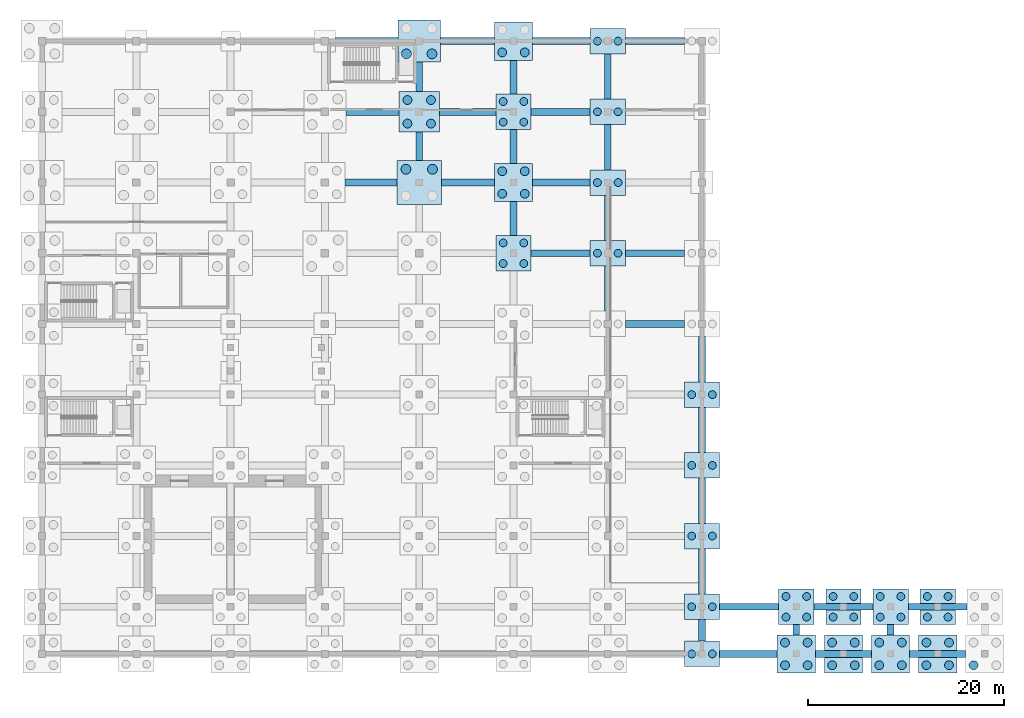
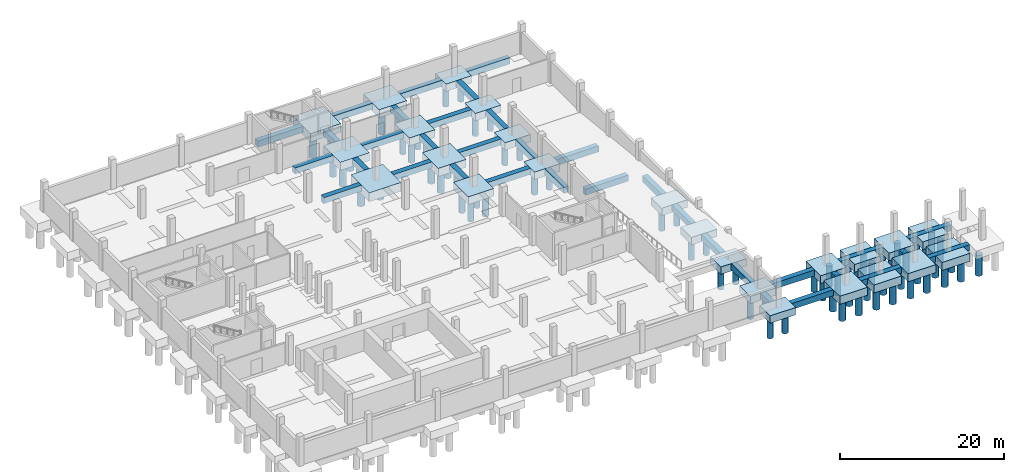
# One storey, part 4 of 13: 73 piles, 59 footings.
"""IFC4 building model written with IfcOpenShell, lengths in metres."""

from ifc_helpers import new_model, si_unit, direction, frame, origin, origin_2d, place, context, subcontext, project, spatial, rectangle, circle, extrude, material, material_profile, profile_set, type_object, element, save


model = new_model("IFC4")

# Units and contexts
model_context = context("Model", 3, precision=1e-05, world=origin(), true_north=direction((0.0, 1.0)))
body_context = subcontext(model_context, "Body", "Model", "MODEL_VIEW")
ifc_project = project(units=[si_unit("LENGTHUNIT", "METRE"), si_unit("AREAUNIT", "SQUARE_METRE"), si_unit("VOLUMEUNIT", "CUBIC_METRE"), si_unit("PLANEANGLEUNIT", "RADIAN"), si_unit("MASSUNIT", "GRAM", prefix="KILO")], contexts=[model_context])

# Site, building, storey
site_placement = place(None, origin())
site = spatial("IfcSite", under=ifc_project, at=site_placement, CompositionType="ELEMENT")
building_placement = place(site_placement, origin())
building = spatial("IfcBuilding", under=site, at=building_placement, Name="Asteropetra Specialist Clinic", CompositionType="ELEMENT")
storey_placement = place(building_placement, frame((0.0, 0.0, -4.419921875)))
storey = spatial("IfcBuildingStorey", under=building, at=storey_placement, Name="B1", CompositionType="ELEMENT", Elevation=-4.419921875)

# Footings
ifc_material_1 = material(Name="Concrete C35/45", Category="concrete")
ifc_material_profile_1 = material_profile(ifc_material_1, rectangle(XDim=0.699951171875, YDim=0.89990234375, at=origin_2d()), Name="FB 700x900")
ifc_profile_set_1 = profile_set([ifc_material_profile_1], Name="Concrete C35/45")
footing_type_1 = type_object("IfcFootingType", Name="FB-700x900", PredefinedType="FOOTING_BEAM", material=ifc_profile_set_1)
footing_1_placement = place(storey_placement, frame((30.85009765625, 48.0, -0.4501953125), z_axis=(1.0, 0.0, 0.0), x_axis=(0.0, 1.0, 0.0)))
element("IfcFooting", 1, at=footing_1_placement, inside=storey, type_object=footing_type_1, Name="Footing Tie Beam FB-0104", PredefinedType="FOOTING_BEAM", context=body_context, shape_type="SweptSolid", body=[
    extrude(rectangle(XDim=0.699951171875, YDim=0.89990234375, at=origin_2d()), origin(), (0.0, 0.0, 1.0), 5.2998046875),
])
footing_2_placement = place(storey_placement, frame((30.949951171875, 55.199951171875, -0.4501953125), z_axis=(1.0, 0.0, 0.0), x_axis=(0.0, 1.0, 0.0)))
element("IfcFooting", 2, at=footing_2_placement, inside=storey, type_object=footing_type_1, Name="Footing Tie Beam FB-0106", PredefinedType="FOOTING_BEAM", context=body_context, shape_type="SweptSolid", body=[
    extrude(rectangle(XDim=0.699951171875, YDim=0.89990234375, at=origin_2d()), origin(), (0.0, 0.0, 1.0), 5.400146484375),
])
footing_3_placement = place(storey_placement, frame((29.89990234375, 62.39990234375, -0.4501953125), z_axis=(1.0, 0.0, 0.0), x_axis=(0.0, 1.0, 0.0)))
element("IfcFooting", 3, at=footing_3_placement, inside=storey, type_object=footing_type_1, Name="Footing Tie Beam FB-0108", PredefinedType="FOOTING_BEAM", context=body_context, shape_type="SweptSolid", body=[
    extrude(rectangle(XDim=0.699951171875, YDim=0.89990234375, at=origin_2d()), origin(), (0.0, 0.0, 1.0), 6.35009765625),
])
footing_4_placement = place(storey_placement, frame((40.64990234375, 48.0, -0.4501953125), z_axis=(1.0, 0.0, 0.0), x_axis=(0.0, 1.0, 0.0)))
element("IfcFooting", 4, at=footing_4_placement, inside=storey, type_object=footing_type_1, Name="Footing Tie Beam FB-0136", PredefinedType="FOOTING_BEAM", context=body_context, shape_type="SweptSolid", body=[
    extrude(rectangle(XDim=0.699951171875, YDim=0.89990234375, at=origin_2d()), origin(), (0.0, 0.0, 1.0), 5.400146484375),
])
footing_5_placement = place(storey_placement, frame((38.39990234375, 50.25, -0.4501953125), z_axis=(0.0, 1.0, 0.0), x_axis=(-1.0, 0.0, 0.0)))
element("IfcFooting", 5, at=footing_5_placement, inside=storey, type_object=footing_type_1, Name="Footing Tie Beam FB-0137", PredefinedType="FOOTING_BEAM", context=body_context, shape_type="SweptSolid", body=[
    extrude(rectangle(XDim=0.699951171875, YDim=0.89990234375, at=origin_2d()), origin(), (0.0, 0.0, 1.0), 2.89990234375),
])
footing_6_placement = place(storey_placement, frame((40.449951171875, 55.199951171875, -0.4501953125), z_axis=(1.0, 0.0, 0.0), x_axis=(0.0, 1.0, 0.0)))
element("IfcFooting", 6, at=footing_6_placement, inside=storey, type_object=footing_type_1, Name="Footing Tie Beam FB-0138", PredefinedType="FOOTING_BEAM", context=body_context, shape_type="SweptSolid", body=[
    extrude(rectangle(XDim=0.699951171875, YDim=0.89990234375, at=origin_2d()), origin(), (0.0, 0.0, 1.0), 5.75),
])
footing_7_placement = place(storey_placement, frame((38.39990234375, 57.25, -0.4501953125), z_axis=(0.0, 1.0, 0.0), x_axis=(-1.0, 0.0, 0.0)))
element("IfcFooting", 7, at=footing_7_placement, inside=storey, type_object=footing_type_1, Name="Footing Tie Beam FB-0139", PredefinedType="FOOTING_BEAM", context=body_context, shape_type="SweptSolid", body=[
    extrude(rectangle(XDim=0.699951171875, YDim=0.89990234375, at=origin_2d()), origin(), (0.0, 0.0, 1.0), 3.0),
])
footing_8_placement = place(storey_placement, frame((40.550048828125, 62.39990234375, -0.4501953125), z_axis=(1.0, 0.0, 0.0), x_axis=(0.0, 1.0, 0.0)))
element("IfcFooting", 8, at=footing_8_placement, inside=storey, type_object=footing_type_1, Name="Footing Tie Beam FB-0140", PredefinedType="FOOTING_BEAM", context=body_context, shape_type="SweptSolid", body=[
    extrude(rectangle(XDim=0.699951171875, YDim=0.89990234375, at=origin_2d()), origin(), (0.0, 0.0, 1.0), 5.5),
])
footing_9_placement = place(storey_placement, frame((49.800048828125, 40.800048828125, -0.4501953125), z_axis=(1.0, 0.0, 0.0), x_axis=(0.0, 1.0, 0.0)))
element("IfcFooting", 9, at=footing_9_placement, inside=storey, type_object=footing_type_1, Name="Footing Tie Beam FB-0166", PredefinedType="FOOTING_BEAM", context=body_context, shape_type="SweptSolid", body=[
    extrude(rectangle(XDim=0.699951171875, YDim=0.89990234375, at=origin_2d()), origin(), (0.0, 0.0, 1.0), 6.0),
])
footing_10_placement = place(storey_placement, frame((48.0, 42.60009765625, -0.4501953125), z_axis=(0.0, 1.0, 0.0), x_axis=(-1.0, 0.0, 0.0)))
element("IfcFooting", 10, at=footing_10_placement, inside=storey, type_object=footing_type_1, Name="Footing Tie Beam FB-0167", PredefinedType="FOOTING_BEAM", context=body_context, shape_type="SweptSolid", body=[
    extrude(rectangle(XDim=0.699951171875, YDim=0.89990234375, at=origin_2d()), origin(), (0.0, 0.0, 1.0), 3.449951171875),
])
footing_11_placement = place(storey_placement, frame((49.949951171875, 48.0, -0.4501953125), z_axis=(1.0, 0.0, 0.0), x_axis=(0.0, 1.0, 0.0)))
element("IfcFooting", 11, at=footing_11_placement, inside=storey, type_object=footing_type_1, Name="Footing Tie Beam FB-0168", PredefinedType="FOOTING_BEAM", context=body_context, shape_type="SweptSolid", body=[
    extrude(rectangle(XDim=0.699951171875, YDim=0.89990234375, at=origin_2d()), origin(), (0.0, 0.0, 1.0), 5.85009765625),
])
footing_12_placement = place(storey_placement, frame((48.0, 49.949951171875, -0.4501953125), z_axis=(0.0, 1.0, 0.0), x_axis=(-1.0, 0.0, 0.0)))
element("IfcFooting", 12, at=footing_12_placement, inside=storey, type_object=footing_type_1, Name="Footing Tie Beam FB-0169", PredefinedType="FOOTING_BEAM", context=body_context, shape_type="SweptSolid", body=[
    extrude(rectangle(XDim=0.699951171875, YDim=0.89990234375, at=origin_2d()), origin(), (0.0, 0.0, 1.0), 3.449951171875),
])
footing_13_placement = place(storey_placement, frame((49.800048828125, 55.199951171875, -0.4501953125), z_axis=(1.0, 0.0, 0.0), x_axis=(0.0, 1.0, 0.0)))
element("IfcFooting", 13, at=footing_13_placement, inside=storey, type_object=footing_type_1, Name="Footing Tie Beam FB-0170", PredefinedType="FOOTING_BEAM", context=body_context, shape_type="SweptSolid", body=[
    extrude(rectangle(XDim=0.699951171875, YDim=0.89990234375, at=origin_2d()), origin(), (0.0, 0.0, 1.0), 6.0),
])
footing_14_placement = place(storey_placement, frame((48.0, 57.0, -0.4501953125), z_axis=(0.0, 1.0, 0.0), x_axis=(-1.0, 0.0, 0.0)))
element("IfcFooting", 14, at=footing_14_placement, inside=storey, type_object=footing_type_1, Name="Footing Tie Beam FB-0171", PredefinedType="FOOTING_BEAM", context=body_context, shape_type="SweptSolid", body=[
    extrude(rectangle(XDim=0.699951171875, YDim=0.89990234375, at=origin_2d()), origin(), (0.0, 0.0, 1.0), 3.449951171875),
])
footing_15_placement = place(storey_placement, frame((49.949951171875, 62.39990234375, -0.4501953125), z_axis=(1.0, 0.0, 0.0), x_axis=(0.0, 1.0, 0.0)))
element("IfcFooting", 15, at=footing_15_placement, inside=storey, type_object=footing_type_1, Name="Footing Tie Beam FB-0172", PredefinedType="FOOTING_BEAM", context=body_context, shape_type="SweptSolid", body=[
    extrude(rectangle(XDim=0.699951171875, YDim=0.89990234375, at=origin_2d()), origin(), (0.0, 0.0, 1.0), 5.85009765625),
])
footing_16_placement = place(storey_placement, frame((59.39990234375, 33.60009765625, -0.4501953125), z_axis=(1.0, 0.0, 0.0), x_axis=(0.0, 1.0, 0.0)))
element("IfcFooting", 16, at=footing_16_placement, inside=storey, type_object=footing_type_1, Name="Footing Tie Beam FB-0193", PredefinedType="FOOTING_BEAM", context=body_context, shape_type="SweptSolid", body=[
    extrude(rectangle(XDim=0.699951171875, YDim=0.89990234375, at=origin_2d()), origin(), (0.0, 0.0, 1.0), 6.0),
])
footing_17_placement = place(storey_placement, frame((57.60009765625, 34.89990234375, -0.4501953125), z_axis=(0.0, 1.0, 0.0), x_axis=(-1.0, 0.0, 0.0)))
element("IfcFooting", 17, at=footing_17_placement, inside=storey, type_object=footing_type_1, Name="Footing Tie Beam FB-0194", PredefinedType="FOOTING_BEAM", context=body_context, shape_type="SweptSolid", body=[
    extrude(rectangle(XDim=0.699951171875, YDim=0.89990234375, at=origin_2d()), origin(), (0.0, 0.0, 1.0), 4.60009765625),
])
footing_18_placement = place(storey_placement, frame((59.39990234375, 40.800048828125, -0.4501953125), z_axis=(1.0, 0.0, 0.0), x_axis=(0.0, 1.0, 0.0)))
element("IfcFooting", 18, at=footing_18_placement, inside=storey, type_object=footing_type_1, Name="Footing Tie Beam FB-0195", PredefinedType="FOOTING_BEAM", context=body_context, shape_type="SweptSolid", body=[
    extrude(rectangle(XDim=0.699951171875, YDim=0.89990234375, at=origin_2d()), origin(), (0.0, 0.0, 1.0), 6.0),
])
for number, where, z_axis, x_axis, name in (
    (19, (57.60009765625, 42.10009765625, -0.4501953125), (0.0, 1.0, 0.0), (-1.0, 0.0, 0.0), "Footing Tie Beam FB-0196"),
    (20, (57.60009765625, 49.300048828125, -0.4501953125), (0.0, 1.0, 0.0), (-1.0, 0.0, 0.0), "Footing Tie Beam FB-0198"),
):
    element("IfcFooting", number, at=place(storey_placement, frame(where, z_axis=z_axis, x_axis=x_axis)), inside=storey, type_object=footing_type_1, Name=name, PredefinedType="FOOTING_BEAM", context=body_context, shape_type="SweptSolid", body=[
        extrude(rectangle(XDim=0.699951171875, YDim=0.89990234375, at=origin_2d()), origin(), (0.0, 0.0, 1.0), 4.599853515625),
    ])
footing_19_placement = place(storey_placement, frame((57.60009765625, 56.5, -0.4501953125), z_axis=(0.0, 1.0, 0.0), x_axis=(-1.0, 0.0, 0.0)))
element("IfcFooting", 21, at=footing_19_placement, inside=storey, type_object=footing_type_1, Name="Footing Tie Beam FB-0200", PredefinedType="FOOTING_BEAM", context=body_context, shape_type="SweptSolid", body=[
    extrude(rectangle(XDim=0.699951171875, YDim=0.89990234375, at=origin_2d()), origin(), (0.0, 0.0, 1.0), 4.60009765625),
])
footing_20_placement = place(storey_placement, frame((59.39990234375, 62.39990234375, -0.4501953125), z_axis=(1.0, 0.0, 0.0), x_axis=(0.0, 1.0, 0.0)))
element("IfcFooting", 22, at=footing_20_placement, inside=storey, type_object=footing_type_1, Name="Footing Tie Beam FB-0201", PredefinedType="FOOTING_BEAM", context=body_context, shape_type="SweptSolid", body=[
    extrude(rectangle(XDim=0.699951171875, YDim=0.89990234375, at=origin_2d()), origin(), (0.0, 0.0, 1.0), 6.0),
])
footing_21_placement = place(storey_placement, frame((69.0, 0.0, -0.4501953125), z_axis=(1.0, 0.0, 0.0), x_axis=(0.0, 1.0, 0.0)))
element("IfcFooting", 23, at=footing_21_placement, inside=storey, type_object=footing_type_1, Name="Footing Tie Beam FB-0210", PredefinedType="FOOTING_BEAM", context=body_context, shape_type="SweptSolid", body=[
    extrude(rectangle(XDim=0.699951171875, YDim=0.89990234375, at=origin_2d()), origin(), (0.0, 0.0, 1.0), 5.85009765625),
])
footing_22_placement = place(storey_placement, frame((67.199951171875, 1.300048828125, -0.4501953125), z_axis=(0.0, 1.0, 0.0), x_axis=(-1.0, 0.0, 0.0)))
element("IfcFooting", 24, at=footing_22_placement, inside=storey, type_object=footing_type_1, Name="Footing Tie Beam FB-0211", PredefinedType="FOOTING_BEAM", context=body_context, shape_type="SweptSolid", body=[
    extrude(rectangle(XDim=0.699951171875, YDim=0.89990234375, at=origin_2d()), origin(), (0.0, 0.0, 1.0), 2.199951171875),
])
footing_23_placement = place(storey_placement, frame((69.0, 4.800048828125, -0.4501953125), z_axis=(1.0, 0.0, 0.0), x_axis=(0.0, 1.0, 0.0)))
element("IfcFooting", 25, at=footing_23_placement, inside=storey, type_object=footing_type_1, Name="Footing Tie Beam FB-0212", PredefinedType="FOOTING_BEAM", context=body_context, shape_type="SweptSolid", body=[
    extrude(rectangle(XDim=0.699951171875, YDim=0.89990234375, at=origin_2d()), origin(), (0.0, 0.0, 1.0), 6.0),
])
for number, where, z_axis, x_axis, name in (
    (26, (67.199951171875, 6.10009765625, -0.4501953125), (0.0, 1.0, 0.0), (-1.0, 0.0, 0.0), "Footing Tie Beam FB-0213"),
    (27, (67.199951171875, 13.300048828125, -0.4501953125), (0.0, 1.0, 0.0), (-1.0, 0.0, 0.0), "Footing Tie Beam FB-0214"),
):
    element("IfcFooting", number, at=place(storey_placement, frame(where, z_axis=z_axis, x_axis=x_axis)), inside=storey, type_object=footing_type_1, Name=name, PredefinedType="FOOTING_BEAM", context=body_context, shape_type="SweptSolid", body=[
        extrude(rectangle(XDim=0.699951171875, YDim=0.89990234375, at=origin_2d()), origin(), (0.0, 0.0, 1.0), 4.599853515625),
    ])
for number, where, z_axis, x_axis, name in (
    (28, (67.199951171875, 20.5, -0.4501953125), (0.0, 1.0, 0.0), (-1.0, 0.0, 0.0), "Footing Tie Beam FB-0215"),
    (29, (67.199951171875, 27.699951171875, -0.4501953125), (0.0, 1.0, 0.0), (-1.0, 0.0, 0.0), "Footing Tie Beam FB-0216"),
):
    element("IfcFooting", number, at=place(storey_placement, frame(where, z_axis=z_axis, x_axis=x_axis)), inside=storey, type_object=footing_type_1, Name=name, PredefinedType="FOOTING_BEAM", context=body_context, shape_type="SweptSolid", body=[
        extrude(rectangle(XDim=0.699951171875, YDim=0.89990234375, at=origin_2d()), origin(), (0.0, 0.0, 1.0), 4.60009765625),
    ])
footing_24_placement = place(storey_placement, frame((78.75, 0.0, -0.4501953125), z_axis=(1.0, 0.0, 0.0), x_axis=(0.0, 1.0, 0.0)))
element("IfcFooting", 30, at=footing_24_placement, inside=storey, type_object=footing_type_1, Name="Footing Tie Beam FB-0234", PredefinedType="FOOTING_BEAM", context=body_context, shape_type="SweptSolid", body=[
    extrude(rectangle(XDim=0.699951171875, YDim=0.89990234375, at=origin_2d()), origin(), (0.0, 0.0, 1.0), 5.699951171875),
])
footing_25_placement = place(storey_placement, frame((76.800048828125, 1.949951171875, -0.4501953125), z_axis=(0.0, 1.0, 0.0), x_axis=(-1.0, 0.0, 0.0)))
element("IfcFooting", 31, at=footing_25_placement, inside=storey, type_object=footing_type_1, Name="Footing Tie Beam FB-0235", PredefinedType="FOOTING_BEAM", context=body_context, shape_type="SweptSolid", body=[
    extrude(rectangle(XDim=0.699951171875, YDim=0.89990234375, at=origin_2d()), origin(), (0.0, 0.0, 1.0), 1.050048828125),
])
footing_26_placement = place(storey_placement, frame((78.60009765625, 4.800048828125, -0.4501953125), z_axis=(1.0, 0.0, 0.0), x_axis=(0.0, 1.0, 0.0)))
element("IfcFooting", 32, at=footing_26_placement, inside=storey, type_object=footing_type_1, Name="Footing Tie Beam FB-0236", PredefinedType="FOOTING_BEAM", context=body_context, shape_type="SweptSolid", body=[
    extrude(rectangle(XDim=0.699951171875, YDim=0.89990234375, at=origin_2d()), origin(), (0.0, 0.0, 1.0), 6.0),
])
footing_27_placement = place(storey_placement, frame((88.35009765625, 0.0, -0.4501953125), z_axis=(1.0, 0.0, 0.0), x_axis=(0.0, 1.0, 0.0)))
element("IfcFooting", 33, at=footing_27_placement, inside=storey, type_object=footing_type_1, Name="Footing Tie Beam FB-0258", PredefinedType="FOOTING_BEAM", context=body_context, shape_type="SweptSolid", body=[
    extrude(rectangle(XDim=0.699951171875, YDim=0.89990234375, at=origin_2d()), origin(), (0.0, 0.0, 1.0), 5.699951171875),
])
footing_28_placement = place(storey_placement, frame((86.39990234375, 1.949951171875, -0.4501953125), z_axis=(0.0, 1.0, 0.0), x_axis=(-1.0, 0.0, 0.0)))
element("IfcFooting", 34, at=footing_28_placement, inside=storey, type_object=footing_type_1, Name="Footing Tie Beam FB-0259", PredefinedType="FOOTING_BEAM", context=body_context, shape_type="SweptSolid", body=[
    extrude(rectangle(XDim=0.699951171875, YDim=0.89990234375, at=origin_2d()), origin(), (0.0, 0.0, 1.0), 1.050048828125),
])
footing_29_placement = place(storey_placement, frame((88.199951171875, 4.800048828125, -0.4501953125), z_axis=(1.0, 0.0, 0.0), x_axis=(0.0, 1.0, 0.0)))
element("IfcFooting", 35, at=footing_29_placement, inside=storey, type_object=footing_type_1, Name="Footing Tie Beam FB-0260", PredefinedType="FOOTING_BEAM", context=body_context, shape_type="SweptSolid", body=[
    extrude(rectangle(XDim=0.699951171875, YDim=0.89990234375, at=origin_2d()), origin(), (0.0, 0.0, 1.0), 6.0),
])
ifc_material_2 = material(Name="Concrete C35/45", Category="concrete")
footing_type_2 = type_object("IfcFootingType", Name="PC-2600", PredefinedType="PILE_CAP", material=ifc_material_2)
for number, where, z_axis, x_axis, name in (
    (36, (57.60009765625, 40.800048828125, -1.10009765625), (0.0, 0.0, 1.0), (1.0, 0.0, 0.0), "Pile Cap PC-01-119"),
    (37, (57.60009765625, 48.0, -1.10009765625), (0.0, 0.0, 1.0), (1.0, 0.0, 0.0), "Pile Cap PC-01-120"),
    (38, (57.60009765625, 55.199951171875, -1.10009765625), (0.0, 0.0, 1.0), (1.0, 0.0, 0.0), "Pile Cap PC-01-121"),
    (39, (57.60009765625, 62.39990234375, -1.10009765625), (0.0, 0.0, 1.0), (1.0, 0.0, 0.0), "Pile Cap PC-01-122"),
    (40, (67.199951171875, 0.0, -1.10009765625), (0.0, 0.0, 1.0), (1.0, 0.0, 0.0), "Pile Cap PC-01-128"),
    (41, (67.199951171875, 4.800048828125, -1.10009765625), (0.0, 0.0, 1.0), (1.0, 0.0, 0.0), "Pile Cap PC-01-129"),
    (42, (67.199951171875, 12.0, -1.10009765625), (0.0, 0.0, 1.0), (1.0, 0.0, 0.0), "Pile Cap PC-01-130"),
    (43, (67.199951171875, 19.199951171875, -1.10009765625), (0.0, 0.0, 1.0), (1.0, 0.0, 0.0), "Pile Cap PC-01-131"),
    (44, (67.199951171875, 26.39990234375, -1.10009765625), (0.0, 0.0, 1.0), (1.0, 0.0, 0.0), "Pile Cap PC-01-132"),
):
    element("IfcFooting", number, at=place(storey_placement, frame(where, z_axis=z_axis, x_axis=x_axis)), inside=storey, type_object=footing_type_2, Name=name, PredefinedType="PILE_CAP", context=body_context, shape_type="SweptSolid", body=[
        extrude(rectangle(XDim=3.60009765625, YDim=2.60009765625, at=origin_2d()), origin(), (0.0, 0.0, 1.0), 1.10009765625),
    ])
ifc_material_3 = material(Name="Concrete C35/45", Category="concrete")
footing_type_3 = type_object("IfcFootingType", Name="PC-2800", PredefinedType="PILE_CAP", material=ifc_material_3)
for number, where, z_axis, x_axis, name in (
    (45, (48.0, 40.800048828125, -1.150146484375), (0.0, 0.0, 1.0), (1.0, 0.0, 0.0), "Pile Cap PC-02-102"),
    (46, (48.0, 55.199951171875, -1.150146484375), (0.0, 0.0, 1.0), (1.0, 0.0, 0.0), "Pile Cap PC-02-104"),
    (47, (76.800048828125, 4.800048828125, -1.150146484375), (0.0, 0.0, 1.0), (1.0, 0.0, 0.0), "Pile Cap PC-02-150"),
    (48, (81.60009765625, 4.800048828125, -1.150146484375), (0.0, 0.0, 1.0), (1.0, 0.0, 0.0), "Pile Cap PC-02-166"),
    (49, (86.39990234375, 4.800048828125, -1.150146484375), (0.0, 0.0, 1.0), (1.0, 0.0, 0.0), "Pile Cap PC-02-170"),
    (50, (91.199951171875, 4.800048828125, -1.150146484375), (0.0, 0.0, 1.0), (1.0, 0.0, 0.0), "Pile Cap PC-02-182"),
):
    element("IfcFooting", number, at=place(storey_placement, frame(where, z_axis=z_axis, x_axis=x_axis)), inside=storey, type_object=footing_type_3, Name=name, PredefinedType="PILE_CAP", context=body_context, shape_type="SweptSolid", body=[
        extrude(rectangle(XDim=3.60009765625, YDim=3.60009765625, at=origin_2d()), origin(), (0.0, 0.0, 1.0), 1.14990234375),
    ])
ifc_material_4 = material(Name="Concrete C35/45", Category="concrete")
footing_type_4 = type_object("IfcFootingType", Name="PC-3000", PredefinedType="PILE_CAP", material=ifc_material_4)
for number, where, z_axis, x_axis, name in (
    (51, (48.0, 48.0, -1.2001953125), (0.0, 0.0, 1.0), (1.0, 0.0, 0.0), "Pile Cap PC-03-103"),
    (52, (48.0, 62.39990234375, -1.2001953125), (0.0, 0.0, 1.0), (1.0, 0.0, 0.0), "Pile Cap PC-03-105"),
    (53, (76.800048828125, 0.0, -1.2001953125), (0.0, 0.0, 1.0), (1.0, 0.0, 0.0), "Pile Cap PC-03-149"),
    (54, (81.60009765625, 0.0, -1.2001953125), (0.0, 0.0, 1.0), (1.0, 0.0, 0.0), "Pile Cap PC-03-165"),
    (55, (86.39990234375, 0.0, -1.2001953125), (0.0, 0.0, 1.0), (1.0, 0.0, 0.0), "Pile Cap PC-03-169"),
    (56, (91.199951171875, 0.0, -1.2001953125), (0.0, 0.0, 1.0), (1.0, 0.0, 0.0), "Pile Cap PC-03-181"),
):
    element("IfcFooting", number, at=place(storey_placement, frame(where, z_axis=z_axis, x_axis=x_axis)), inside=storey, type_object=footing_type_4, Name=name, PredefinedType="PILE_CAP", context=body_context, shape_type="SweptSolid", body=[
        extrude(rectangle(XDim=3.89990234375, YDim=3.89990234375, at=origin_2d()), origin(), (0.0, 0.0, 1.0), 1.199951171875),
    ])
ifc_material_5 = material(Name="Concrete C35/45", Category="concrete")
footing_type_5 = type_object("IfcFootingType", Name="PC-3200", PredefinedType="PILE_CAP", material=ifc_material_5)
footing_30_placement = place(storey_placement, frame((38.39990234375, 55.199951171875, -1.2001953125), z_axis=(0.0, 0.0, 1.0), x_axis=(1.0, 0.0, 0.0)))
element("IfcFooting", 57, at=footing_30_placement, inside=storey, type_object=footing_type_5, Name="Pile Cap PC-04-087", PredefinedType="PILE_CAP", context=body_context, shape_type="SweptSolid", body=[
    extrude(rectangle(XDim=4.10009765625, YDim=4.10009765625, at=origin_2d()), origin(), (0.0, 0.0, 1.0), 1.199951171875),
])
ifc_material_6 = material(Name="Concrete C35/45", Category="concrete")
footing_type_6 = type_object("IfcFootingType", Name="PC-3400", PredefinedType="PILE_CAP", material=ifc_material_6)
footing_31_placement = place(storey_placement, frame((38.39990234375, 62.39990234375, -1.25), z_axis=(0.0, 0.0, 1.0), x_axis=(1.0, 0.0, 0.0)))
element("IfcFooting", 58, at=footing_31_placement, inside=storey, type_object=footing_type_6, Name="Pile Cap PC-05-088", PredefinedType="PILE_CAP", context=body_context, shape_type="SweptSolid", body=[
    extrude(rectangle(XDim=4.300048828125, YDim=4.300048828125, at=origin_2d()), origin(), (0.0, 0.0, 1.0), 1.25),
])
ifc_material_7 = material(Name="Concrete C35/45", Category="concrete")
footing_type_7 = type_object("IfcFootingType", Name="PC-3600", PredefinedType="PILE_CAP", material=ifc_material_7)
footing_32_placement = place(storey_placement, frame((38.39990234375, 48.0, -1.30029296875), z_axis=(0.0, 0.0, 1.0), x_axis=(1.0, 0.0, 0.0)))
element("IfcFooting", 59, at=footing_32_placement, inside=storey, type_object=footing_type_7, Name="Pile Cap PC-06-086", PredefinedType="PILE_CAP", context=body_context, shape_type="SweptSolid", body=[
    extrude(rectangle(XDim=4.5, YDim=4.5, at=origin_2d()), origin(), (0.0, 0.0, 1.0), 1.300048828125),
])

# Piles
ifc_material_8 = material(Name="Concrete C35/45", Category="concrete")
ifc_material_profile_2 = material_profile(ifc_material_8, circle(Radius=0.5, at=origin_2d()), Name="PILE D1000")
ifc_profile_set_2 = profile_set([ifc_material_profile_2], Name="Concrete C35/45")
pile_type_1 = type_object("IfcPileType", Name="PILE-B1000", PredefinedType="BORED", material=ifc_profile_set_2)
for number, where, z_axis, x_axis, name in (
    (60, (37.050048828125, 49.35009765625, -1.2001953125), (0.0, 0.0, -1.0), (1.0, 0.0, 0.0), "Bored Pile PPL03-086-3"),
    (61, (39.75, 49.35009765625, -1.2001953125), (0.0, 0.0, -1.0), (1.0, 0.0, 0.0), "Bored Pile PPL03-086-4"),
):
    element("IfcPile", number, at=place(storey_placement, frame(where, z_axis=z_axis, x_axis=x_axis)), inside=storey, type_object=pile_type_1, Name=name, PredefinedType="BORED", context=body_context, shape_type="SweptSolid", body=[
        extrude(circle(Radius=0.5, at=origin_2d()), origin(), (0.0, 0.0, 1.0), 3.0),
    ])
for number, where, z_axis, x_axis, name in (
    (62, (37.10009765625, 61.10009765625, -1.150146484375), (0.0, 0.0, -1.0), (1.0, 0.0, 0.0), "Bored Pile PPL03-088-1"),
    (63, (39.699951171875, 61.10009765625, -1.150146484375), (0.0, 0.0, -1.0), (1.0, 0.0, 0.0), "Bored Pile PPL03-088-2"),
):
    element("IfcPile", number, at=place(storey_placement, frame(where, z_axis=z_axis, x_axis=x_axis)), inside=storey, type_object=pile_type_1, Name=name, PredefinedType="BORED", context=body_context, shape_type="SweptSolid", body=[
        extrude(circle(Radius=0.5, at=origin_2d()), origin(), (0.0, 0.0, 1.0), 3.050048828125),
    ])
ifc_material_9 = material(Name="Concrete C35/45", Category="concrete")
ifc_material_profile_3 = material_profile(ifc_material_9, circle(Radius=0.39990234375, at=origin_2d()), Name="PILE D800")
ifc_profile_set_3 = profile_set([ifc_material_profile_3], Name="Concrete C35/45")
pile_type_2 = type_object("IfcPileType", Name="PILE-B800", PredefinedType="BORED", material=ifc_profile_set_3)
for number, where, z_axis, x_axis, name in (
    (64, (46.949951171875, 39.75, -1.050048828125), (0.0, 0.0, -1.0), (1.0, 0.0, 0.0), "Bored Pile PPL01-102-1"),
    (65, (49.050048828125, 39.75, -1.050048828125), (0.0, 0.0, -1.0), (1.0, 0.0, 0.0), "Bored Pile PPL01-102-2"),
    (66, (46.949951171875, 41.85009765625, -1.050048828125), (0.0, 0.0, -1.0), (1.0, 0.0, 0.0), "Bored Pile PPL01-102-3"),
    (67, (49.050048828125, 41.85009765625, -1.050048828125), (0.0, 0.0, -1.0), (1.0, 0.0, 0.0), "Bored Pile PPL01-102-4"),
    (68, (46.949951171875, 54.14990234375, -1.050048828125), (0.0, 0.0, -1.0), (1.0, 0.0, 0.0), "Bored Pile PPL01-104-1"),
    (69, (49.050048828125, 54.14990234375, -1.050048828125), (0.0, 0.0, -1.0), (1.0, 0.0, 0.0), "Bored Pile PPL01-104-2"),
    (70, (46.949951171875, 56.25, -1.050048828125), (0.0, 0.0, -1.0), (1.0, 0.0, 0.0), "Bored Pile PPL01-104-3"),
    (71, (49.050048828125, 56.25, -1.050048828125), (0.0, 0.0, -1.0), (1.0, 0.0, 0.0), "Bored Pile PPL01-104-4"),
):
    element("IfcPile", number, at=place(storey_placement, frame(where, z_axis=z_axis, x_axis=x_axis)), inside=storey, type_object=pile_type_2, Name=name, PredefinedType="BORED", context=body_context, shape_type="SweptSolid", body=[
        extrude(circle(Radius=0.39990234375, at=origin_2d()), origin(), (0.0, 0.0, 1.0), 3.14990234375),
    ])
for number, where, z_axis, x_axis, name in (
    (72, (56.550048828125, 40.800048828125, -1.0), (0.0, 0.0, -1.0), (1.0, 0.0, 0.0), "Bored Pile PPL01-119-1"),
    (73, (58.64990234375, 40.800048828125, -1.0), (0.0, 0.0, -1.0), (1.0, 0.0, 0.0), "Bored Pile PPL01-119-2"),
    (74, (56.550048828125, 48.0, -1.0), (0.0, 0.0, -1.0), (1.0, 0.0, 0.0), "Bored Pile PPL01-120-1"),
    (75, (58.64990234375, 48.0, -1.0), (0.0, 0.0, -1.0), (1.0, 0.0, 0.0), "Bored Pile PPL01-120-2"),
    (76, (56.550048828125, 55.199951171875, -1.0), (0.0, 0.0, -1.0), (1.0, 0.0, 0.0), "Bored Pile PPL01-121-1"),
    (77, (58.64990234375, 55.199951171875, -1.0), (0.0, 0.0, -1.0), (1.0, 0.0, 0.0), "Bored Pile PPL01-121-2"),
    (78, (56.550048828125, 62.39990234375, -1.0), (0.0, 0.0, -1.0), (1.0, 0.0, 0.0), "Bored Pile PPL01-122-1"),
    (79, (58.64990234375, 62.39990234375, -1.0), (0.0, 0.0, -1.0), (1.0, 0.0, 0.0), "Bored Pile PPL01-122-2"),
    (80, (66.14990234375, 0.0, -1.0), (0.0, 0.0, -1.0), (1.0, 0.0, 0.0), "Bored Pile PPL01-128-1"),
    (81, (68.25, 0.0, -1.0), (0.0, 0.0, -1.0), (1.0, 0.0, 0.0), "Bored Pile PPL01-128-2"),
    (82, (66.14990234375, 4.800048828125, -1.0), (0.0, 0.0, -1.0), (1.0, 0.0, 0.0), "Bored Pile PPL01-129-1"),
    (83, (68.25, 4.800048828125, -1.0), (0.0, 0.0, -1.0), (1.0, 0.0, 0.0), "Bored Pile PPL01-129-2"),
    (84, (66.14990234375, 12.0, -1.0), (0.0, 0.0, -1.0), (1.0, 0.0, 0.0), "Bored Pile PPL01-130-1"),
    (85, (68.25, 12.0, -1.0), (0.0, 0.0, -1.0), (1.0, 0.0, 0.0), "Bored Pile PPL01-130-2"),
    (86, (66.14990234375, 19.199951171875, -1.0), (0.0, 0.0, -1.0), (1.0, 0.0, 0.0), "Bored Pile PPL01-131-1"),
    (87, (68.25, 19.199951171875, -1.0), (0.0, 0.0, -1.0), (1.0, 0.0, 0.0), "Bored Pile PPL01-131-2"),
    (88, (66.14990234375, 26.39990234375, -1.0), (0.0, 0.0, -1.0), (1.0, 0.0, 0.0), "Bored Pile PPL01-132-1"),
    (89, (68.25, 26.39990234375, -1.0), (0.0, 0.0, -1.0), (1.0, 0.0, 0.0), "Bored Pile PPL01-132-2"),
):
    element("IfcPile", number, at=place(storey_placement, frame(where, z_axis=z_axis, x_axis=x_axis)), inside=storey, type_object=pile_type_2, Name=name, PredefinedType="BORED", context=body_context, shape_type="SweptSolid", body=[
        extrude(circle(Radius=0.39990234375, at=origin_2d()), origin(), (0.0, 0.0, 1.0), 3.199951171875),
    ])
for number, where, z_axis, x_axis, name in (
    (90, (75.75, 3.75, -1.050048828125), (0.0, 0.0, -1.0), (1.0, 0.0, 0.0), "Bored Pile PPL01-150-1"),
    (91, (77.85009765625, 3.75, -1.050048828125), (0.0, 0.0, -1.0), (1.0, 0.0, 0.0), "Bored Pile PPL01-150-2"),
    (92, (75.75, 5.85009765625, -1.050048828125), (0.0, 0.0, -1.0), (1.0, 0.0, 0.0), "Bored Pile PPL01-150-3"),
    (93, (77.85009765625, 5.85009765625, -1.050048828125), (0.0, 0.0, -1.0), (1.0, 0.0, 0.0), "Bored Pile PPL01-150-4"),
    (94, (80.550048828125, 3.75, -1.050048828125), (0.0, 0.0, -1.0), (1.0, 0.0, 0.0), "Bored Pile PPL01-166-1"),
    (95, (82.64990234375, 3.75, -1.050048828125), (0.0, 0.0, -1.0), (1.0, 0.0, 0.0), "Bored Pile PPL01-166-2"),
    (96, (80.550048828125, 5.85009765625, -1.050048828125), (0.0, 0.0, -1.0), (1.0, 0.0, 0.0), "Bored Pile PPL01-166-3"),
    (97, (82.64990234375, 5.85009765625, -1.050048828125), (0.0, 0.0, -1.0), (1.0, 0.0, 0.0), "Bored Pile PPL01-166-4"),
    (98, (85.35009765625, 3.75, -1.050048828125), (0.0, 0.0, -1.0), (1.0, 0.0, 0.0), "Bored Pile PPL01-170-1"),
    (99, (87.449951171875, 3.75, -1.050048828125), (0.0, 0.0, -1.0), (1.0, 0.0, 0.0), "Bored Pile PPL01-170-2"),
    (100, (85.35009765625, 5.85009765625, -1.050048828125), (0.0, 0.0, -1.0), (1.0, 0.0, 0.0), "Bored Pile PPL01-170-3"),
    (101, (87.449951171875, 5.85009765625, -1.050048828125), (0.0, 0.0, -1.0), (1.0, 0.0, 0.0), "Bored Pile PPL01-170-4"),
    (102, (90.14990234375, 3.75, -1.050048828125), (0.0, 0.0, -1.0), (1.0, 0.0, 0.0), "Bored Pile PPL01-182-1"),
    (103, (92.25, 3.75, -1.050048828125), (0.0, 0.0, -1.0), (1.0, 0.0, 0.0), "Bored Pile PPL01-182-2"),
    (104, (90.14990234375, 5.85009765625, -1.050048828125), (0.0, 0.0, -1.0), (1.0, 0.0, 0.0), "Bored Pile PPL01-182-3"),
    (105, (92.25, 5.85009765625, -1.050048828125), (0.0, 0.0, -1.0), (1.0, 0.0, 0.0), "Bored Pile PPL01-182-4"),
):
    element("IfcPile", number, at=place(storey_placement, frame(where, z_axis=z_axis, x_axis=x_axis)), inside=storey, type_object=pile_type_2, Name=name, PredefinedType="BORED", context=body_context, shape_type="SweptSolid", body=[
        extrude(circle(Radius=0.39990234375, at=origin_2d()), origin(), (0.0, 0.0, 1.0), 3.14990234375),
    ])
ifc_material_10 = material(Name="Concrete C35/45", Category="concrete")
ifc_material_profile_4 = material_profile(ifc_material_10, circle(Radius=0.449951171875, at=origin_2d()), Name="PILE D900")
ifc_profile_set_4 = profile_set([ifc_material_profile_4], Name="Concrete C35/45")
pile_type_3 = type_object("IfcPileType", Name="PILE-B900", PredefinedType="BORED", material=ifc_profile_set_4)
for number, where, z_axis, x_axis, name in (
    (106, (37.199951171875, 54.0, -1.10009765625), (0.0, 0.0, -1.0), (1.0, 0.0, 0.0), "Bored Pile PPL02-087-1"),
    (107, (39.60009765625, 54.0, -1.10009765625), (0.0, 0.0, -1.0), (1.0, 0.0, 0.0), "Bored Pile PPL02-087-2"),
    (108, (37.199951171875, 56.39990234375, -1.10009765625), (0.0, 0.0, -1.0), (1.0, 0.0, 0.0), "Bored Pile PPL02-087-3"),
    (109, (39.60009765625, 56.39990234375, -1.10009765625), (0.0, 0.0, -1.0), (1.0, 0.0, 0.0), "Bored Pile PPL02-087-4"),
    (110, (46.85009765625, 46.85009765625, -1.10009765625), (0.0, 0.0, -1.0), (1.0, 0.0, 0.0), "Bored Pile PPL02-103-1"),
    (111, (49.14990234375, 46.85009765625, -1.10009765625), (0.0, 0.0, -1.0), (1.0, 0.0, 0.0), "Bored Pile PPL02-103-2"),
    (112, (46.85009765625, 49.14990234375, -1.10009765625), (0.0, 0.0, -1.0), (1.0, 0.0, 0.0), "Bored Pile PPL02-103-3"),
    (113, (49.14990234375, 49.14990234375, -1.10009765625), (0.0, 0.0, -1.0), (1.0, 0.0, 0.0), "Bored Pile PPL02-103-4"),
    (114, (46.85009765625, 61.25, -1.10009765625), (0.0, 0.0, -1.0), (1.0, 0.0, 0.0), "Bored Pile PPL02-105-1"),
    (115, (49.14990234375, 61.25, -1.10009765625), (0.0, 0.0, -1.0), (1.0, 0.0, 0.0), "Bored Pile PPL02-105-2"),
    (116, (75.64990234375, -1.14990234375, -1.10009765625), (0.0, 0.0, -1.0), (1.0, 0.0, 0.0), "Bored Pile PPL02-149-1"),
    (117, (77.949951171875, -1.14990234375, -1.10009765625), (0.0, 0.0, -1.0), (1.0, 0.0, 0.0), "Bored Pile PPL02-149-2"),
    (118, (75.64990234375, 1.14990234375, -1.10009765625), (0.0, 0.0, -1.0), (1.0, 0.0, 0.0), "Bored Pile PPL02-149-3"),
    (119, (77.949951171875, 1.14990234375, -1.10009765625), (0.0, 0.0, -1.0), (1.0, 0.0, 0.0), "Bored Pile PPL02-149-4"),
    (120, (80.449951171875, -1.14990234375, -1.10009765625), (0.0, 0.0, -1.0), (1.0, 0.0, 0.0), "Bored Pile PPL02-165-1"),
    (121, (82.75, -1.14990234375, -1.10009765625), (0.0, 0.0, -1.0), (1.0, 0.0, 0.0), "Bored Pile PPL02-165-2"),
    (122, (80.449951171875, 1.14990234375, -1.10009765625), (0.0, 0.0, -1.0), (1.0, 0.0, 0.0), "Bored Pile PPL02-165-3"),
    (123, (82.75, 1.14990234375, -1.10009765625), (0.0, 0.0, -1.0), (1.0, 0.0, 0.0), "Bored Pile PPL02-165-4"),
    (124, (85.25, -1.14990234375, -1.10009765625), (0.0, 0.0, -1.0), (1.0, 0.0, 0.0), "Bored Pile PPL02-169-1"),
    (125, (87.550048828125, -1.14990234375, -1.10009765625), (0.0, 0.0, -1.0), (1.0, 0.0, 0.0), "Bored Pile PPL02-169-2"),
    (126, (85.25, 1.14990234375, -1.10009765625), (0.0, 0.0, -1.0), (1.0, 0.0, 0.0), "Bored Pile PPL02-169-3"),
    (127, (87.550048828125, 1.14990234375, -1.10009765625), (0.0, 0.0, -1.0), (1.0, 0.0, 0.0), "Bored Pile PPL02-169-4"),
    (128, (90.050048828125, -1.14990234375, -1.10009765625), (0.0, 0.0, -1.0), (1.0, 0.0, 0.0), "Bored Pile PPL02-181-1"),
    (129, (92.35009765625, -1.14990234375, -1.10009765625), (0.0, 0.0, -1.0), (1.0, 0.0, 0.0), "Bored Pile PPL02-181-2"),
    (130, (90.050048828125, 1.14990234375, -1.10009765625), (0.0, 0.0, -1.0), (1.0, 0.0, 0.0), "Bored Pile PPL02-181-3"),
    (131, (92.35009765625, 1.14990234375, -1.10009765625), (0.0, 0.0, -1.0), (1.0, 0.0, 0.0), "Bored Pile PPL02-181-4"),
    (132, (94.85009765625, -1.14990234375, -1.10009765625), (0.0, 0.0, -1.0), (1.0, 0.0, 0.0), "Bored Pile PPL02-183-1"),
):
    element("IfcPile", number, at=place(storey_placement, frame(where, z_axis=z_axis, x_axis=x_axis)), inside=storey, type_object=pile_type_3, Name=name, PredefinedType="BORED", context=body_context, shape_type="SweptSolid", body=[
        extrude(circle(Radius=0.449951171875, at=origin_2d()), origin(), (0.0, 0.0, 1.0), 3.10009765625),
    ])

save(model, "model.ifc")
